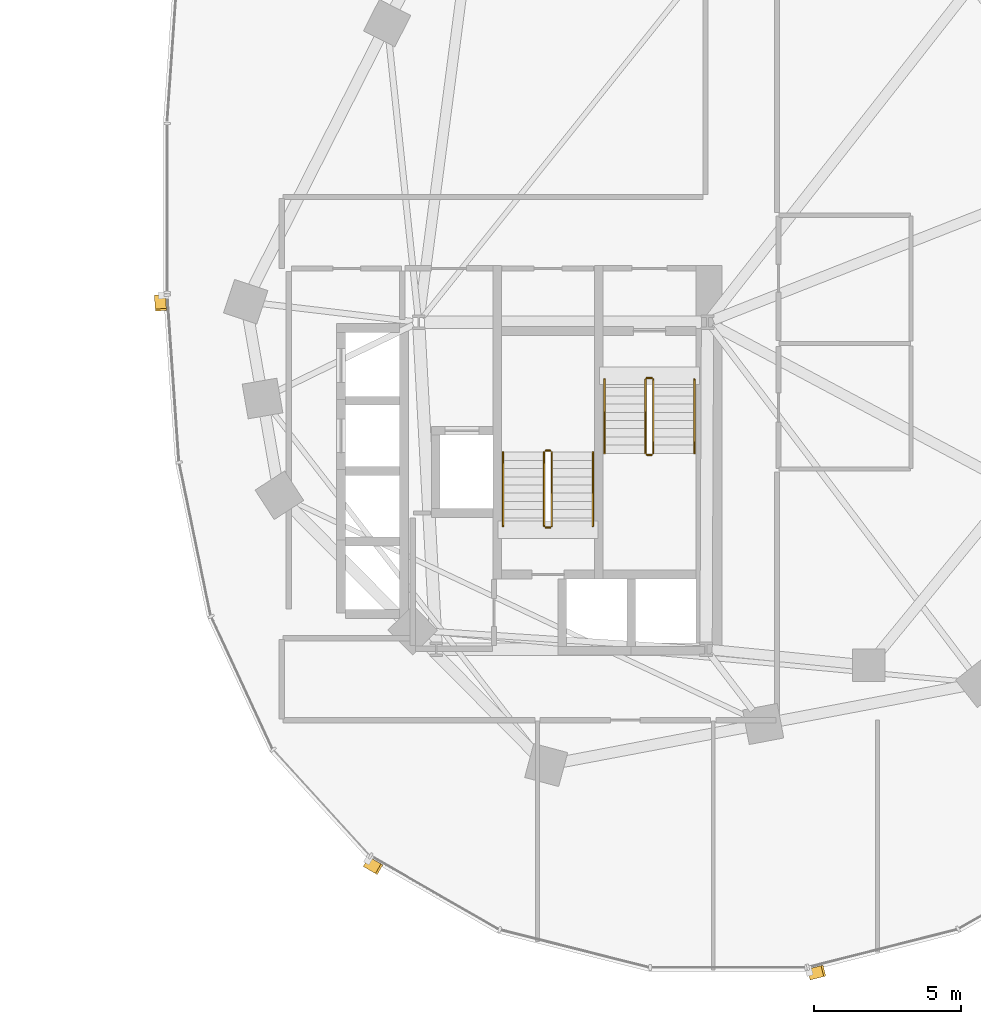
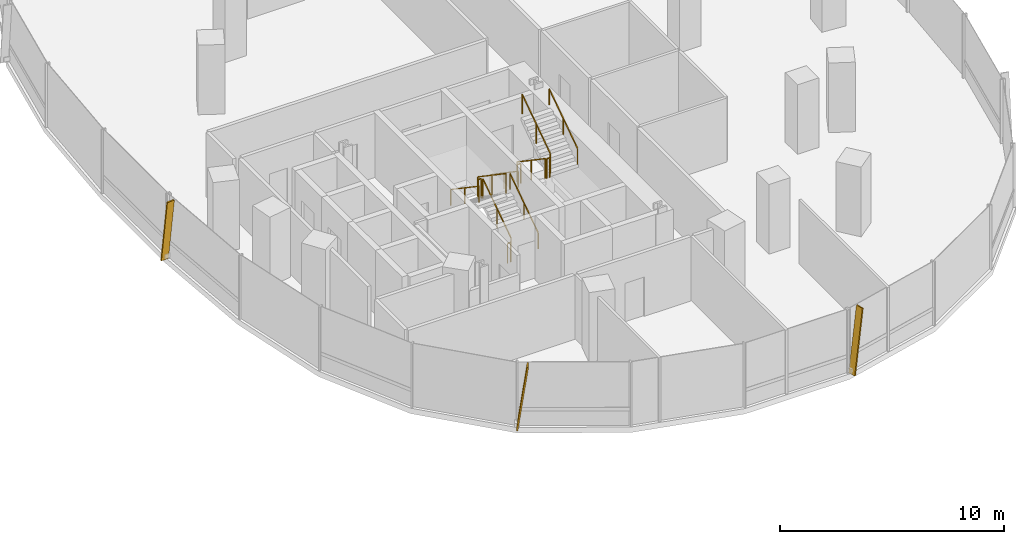
# One storey, part 20 of 21: 12 railings, 3 shading devices.
"""IFC4 building model written with IfcOpenShell, lengths in metres."""

from ifc_helpers import new_model, si_unit, direction, frame, origin, origin_2d, place, context, subcontext, project, spatial, rectangle, extrude, material, material_profile, profile_set, type_object, element, save


model = new_model("IFC4")

# Units and contexts
model_context = context("Model", 3, precision=1e-05, world=origin(), true_north=direction((0.0, 1.0)))
body_context = subcontext(model_context, "Body", "Model", "MODEL_VIEW")
ifc_project = project(units=[si_unit("LENGTHUNIT", "METRE"), si_unit("AREAUNIT", "SQUARE_METRE"), si_unit("VOLUMEUNIT", "CUBIC_METRE"), si_unit("PLANEANGLEUNIT", "RADIAN"), si_unit("MASSUNIT", "GRAM", prefix="KILO"), si_unit("THERMODYNAMICTEMPERATUREUNIT", "KELVIN"), si_unit("POWERUNIT", "WATT")], contexts=[model_context])

# Site, building, storey
site_placement = place(None, origin())
site = spatial("IfcSite", under=ifc_project, at=site_placement, CompositionType="ELEMENT")
building_placement = place(site_placement, origin())
building = spatial("IfcBuilding", under=site, at=building_placement, Name="Cundina Bronze Exchange", CompositionType="ELEMENT")
storey_placement = place(building_placement, frame((0.0, 0.0, 69.60009765625)))
storey = spatial("IfcBuildingStorey", under=building, at=storey_placement, Name="L17", CompositionType="ELEMENT", Elevation=69.60009765625)

# Railings
ifc_material_1 = material(Name="Steel ASTM A36 Painted", Category="steel")
railing_type_1 = type_object("IfcRailingType", Name="RLG-HND-900", PredefinedType="HANDRAIL", material=ifc_material_1)
railing_1_placement = place(storey_placement, frame((27.7900390625, -5.85009765625, 0.18994140625)))
element("IfcRailing", 1, at=railing_1_placement, inside=storey, type_object=railing_type_1, Name="L17 ST-E1 stair handrail 1", PredefinedType="HANDRAIL", context=body_context, shape_type="SweptSolid", body=[
    extrude(rectangle(XDim=0.048095703125, YDim=0.048095703125, at=origin_2d()), frame((0.0, 0.0, 0.8759765625), z_axis=(0.0, -0.827483756001, 0.561489655786), x_axis=(1.0, 0.0, 0.0)), (0.0, 0.0, 1.0), 3.04541015625),
    extrude(rectangle(XDim=0.0419921875, YDim=0.0419921875, at=origin_2d()), origin(), (0.0, 0.0, 1.0), 0.851806640625),
    extrude(rectangle(XDim=0.0419921875, YDim=0.0419921875, at=origin_2d()), frame((0.0, -1.260009765625, 0.85498046875)), (0.0, 0.0, 1.0), 0.851806640625),
    extrude(rectangle(XDim=0.0419921875, YDim=0.0419921875, at=origin_2d()), frame((0.0, -2.52001953125, 1.7099609375)), (0.0, 0.0, 1.0), 0.851806640625),
])
for number, where, name in (
    (2, (30.85009765625, -8.3701171875, 2.08984375), "L17 ST-E1 stair handrail 2"),
    (3, (27.389892578125, -10.85009765625, 0.18994140625), "L17 ST-E2 stair handrail 1"),
):
    element("IfcRailing", number, at=place(storey_placement, frame(where)), inside=storey, type_object=railing_type_1, Name=name, PredefinedType="HANDRAIL", context=body_context, shape_type="SweptSolid", body=[
        extrude(rectangle(XDim=0.048095703125, YDim=0.048095703125, at=origin_2d()), frame((0.0, 0.0, 0.8759765625), z_axis=(0.0, 0.827483756001, 0.561489655786), x_axis=(-1.0, 0.0, 0.0)), (0.0, 0.0, 1.0), 3.04541015625),
        extrude(rectangle(XDim=0.0419921875, YDim=0.0419921875, at=origin_2d()), origin(), (0.0, 0.0, 1.0), 0.851806640625),
        extrude(rectangle(XDim=0.0419921875, YDim=0.0419921875, at=origin_2d()), frame((0.0, 1.260009765625, 0.85498046875)), (0.0, 0.0, 1.0), 0.851806640625),
        extrude(rectangle(XDim=0.0419921875, YDim=0.0419921875, at=origin_2d()), frame((0.0, 2.52001953125, 1.7099609375)), (0.0, 0.0, 1.0), 0.851806640625),
    ])
railing_2_placement = place(storey_placement, frame((24.330078125, -8.330078125, 2.08984375)))
element("IfcRailing", 4, at=railing_2_placement, inside=storey, type_object=railing_type_1, Name="L17 ST-E2 stair handrail 2", PredefinedType="HANDRAIL", context=body_context, shape_type="SweptSolid", body=[
    extrude(rectangle(XDim=0.048095703125, YDim=0.048095703125, at=origin_2d()), frame((0.0, 0.0, 0.8759765625), z_axis=(0.0, -0.827483756001, 0.561489655786), x_axis=(1.0, 0.0, 0.0)), (0.0, 0.0, 1.0), 3.04541015625),
    extrude(rectangle(XDim=0.0419921875, YDim=0.0419921875, at=origin_2d()), origin(), (0.0, 0.0, 1.0), 0.851806640625),
    extrude(rectangle(XDim=0.0419921875, YDim=0.0419921875, at=origin_2d()), frame((0.0, -1.260009765625, 0.85498046875)), (0.0, 0.0, 1.0), 0.851806640625),
    extrude(rectangle(XDim=0.0419921875, YDim=0.0419921875, at=origin_2d()), frame((0.0, -2.52001953125, 1.7099609375)), (0.0, 0.0, 1.0), 0.851806640625),
])
railing_type_2 = type_object("IfcRailingType", Name="RLG-STG-1100", PredefinedType="GUARDRAIL", material=ifc_material_1)
railing_3_placement = place(storey_placement, frame((29.18994140625, -5.85009765625, 0.18994140625)))
element("IfcRailing", 5, at=railing_3_placement, inside=storey, type_object=railing_type_2, Name="L17 ST-E1 stair guard 1", PredefinedType="GUARDRAIL", context=body_context, shape_type="SweptSolid", body=[
    extrude(rectangle(XDim=0.048095703125, YDim=0.048095703125, at=origin_2d()), frame((0.0, 0.0, 1.076171875), z_axis=(0.0, -0.827483756001, 0.561489655786), x_axis=(1.0, 0.0, 0.0)), (0.0, 0.0, 1.0), 3.04541015625),
    extrude(rectangle(XDim=0.0419921875, YDim=0.0419921875, at=origin_2d()), origin(), (0.0, 0.0, 1.0), 1.052001953125),
    extrude(rectangle(XDim=0.0419921875, YDim=0.0419921875, at=origin_2d()), frame((0.0, -1.260009765625, 0.85498046875)), (0.0, 0.0, 1.0), 1.052001953125),
    extrude(rectangle(XDim=0.0419921875, YDim=0.0419921875, at=origin_2d()), frame((0.0, -2.52001953125, 1.7099609375)), (0.0, 0.0, 1.0), 1.052001953125),
])
railing_4_placement = place(storey_placement, frame((29.239990234375, -8.419921875, 1.89990234375)))
element("IfcRailing", 6, at=railing_4_placement, inside=storey, type_object=railing_type_2, Name="L17 ST-E1 stair guard 2", PredefinedType="GUARDRAIL", context=body_context, shape_type="SweptSolid", body=[
    extrude(rectangle(XDim=0.048095703125, YDim=0.048095703125, at=origin_2d()), frame((0.0, 0.0, 1.076171875), z_axis=(1.0, 0.0, 0.0), x_axis=(0.0, 1.0, 0.0)), (0.0, 0.0, 1.0), 0.159912109375),
    extrude(rectangle(XDim=0.0419921875, YDim=0.0419921875, at=origin_2d()), origin(), (0.0, 0.0, 1.0), 1.052001953125),
    extrude(rectangle(XDim=0.0419921875, YDim=0.0419921875, at=origin_2d()), frame((0.159912109375, 0.0, 0.0)), (0.0, 0.0, 1.0), 1.052001953125),
])
railing_5_placement = place(storey_placement, frame((29.449951171875, -8.3701171875, 2.08984375)))
element("IfcRailing", 7, at=railing_5_placement, inside=storey, type_object=railing_type_2, Name="L17 ST-E1 stair guard 3", PredefinedType="GUARDRAIL", context=body_context, shape_type="SweptSolid", body=[
    extrude(rectangle(XDim=0.048095703125, YDim=0.048095703125, at=origin_2d()), frame((0.0, 0.0, 1.076171875), z_axis=(0.0, 0.827483756001, 0.561489655786), x_axis=(-1.0, 0.0, 0.0)), (0.0, 0.0, 1.0), 3.04541015625),
    extrude(rectangle(XDim=0.0419921875, YDim=0.0419921875, at=origin_2d()), origin(), (0.0, 0.0, 1.0), 1.052001953125),
    extrude(rectangle(XDim=0.0419921875, YDim=0.0419921875, at=origin_2d()), frame((0.0, 1.260009765625, 0.85498046875)), (0.0, 0.0, 1.0), 1.052001953125),
    extrude(rectangle(XDim=0.0419921875, YDim=0.0419921875, at=origin_2d()), frame((0.0, 2.52001953125, 1.7099609375)), (0.0, 0.0, 1.0), 1.052001953125),
])
railing_6_placement = place(storey_placement, frame((29.239990234375, -5.800048828125, 0.0)))
element("IfcRailing", 8, at=railing_6_placement, inside=storey, type_object=railing_type_2, Name="L17 ST-E1 stair guard 4", PredefinedType="GUARDRAIL", context=body_context, shape_type="SweptSolid", body=[
    extrude(rectangle(XDim=0.048095703125, YDim=0.048095703125, at=origin_2d()), frame((0.0, 0.0, 1.076171875), z_axis=(1.0, 0.0, 0.0), x_axis=(0.0, 1.0, 0.0)), (0.0, 0.0, 1.0), 0.159912109375),
    extrude(rectangle(XDim=0.0419921875, YDim=0.0419921875, at=origin_2d()), origin(), (0.0, 0.0, 1.0), 1.052001953125),
    extrude(rectangle(XDim=0.0419921875, YDim=0.0419921875, at=origin_2d()), frame((0.159912109375, 0.0, 0.0)), (0.0, 0.0, 1.0), 1.052001953125),
])
railing_7_placement = place(storey_placement, frame((25.989990234375, -10.85009765625, 0.18994140625)))
element("IfcRailing", 9, at=railing_7_placement, inside=storey, type_object=railing_type_2, Name="L17 ST-E2 stair guard 1", PredefinedType="GUARDRAIL", context=body_context, shape_type="SweptSolid", body=[
    extrude(rectangle(XDim=0.048095703125, YDim=0.048095703125, at=origin_2d()), frame((0.0, 0.0, 1.076171875), z_axis=(0.0, 0.827483756001, 0.561489655786), x_axis=(-1.0, 0.0, 0.0)), (0.0, 0.0, 1.0), 3.04541015625),
    extrude(rectangle(XDim=0.0419921875, YDim=0.0419921875, at=origin_2d()), origin(), (0.0, 0.0, 1.0), 1.052001953125),
    extrude(rectangle(XDim=0.0419921875, YDim=0.0419921875, at=origin_2d()), frame((0.0, 1.260009765625, 0.85498046875)), (0.0, 0.0, 1.0), 1.052001953125),
    extrude(rectangle(XDim=0.0419921875, YDim=0.0419921875, at=origin_2d()), frame((0.0, 2.52001953125, 1.7099609375)), (0.0, 0.0, 1.0), 1.052001953125),
])
railing_8_placement = place(storey_placement, frame((25.93994140625, -8.280029296875, 1.89990234375)))
element("IfcRailing", 10, at=railing_8_placement, inside=storey, type_object=railing_type_2, Name="L17 ST-E2 stair guard 2", PredefinedType="GUARDRAIL", context=body_context, shape_type="SweptSolid", body=[
    extrude(rectangle(XDim=0.048095703125, YDim=0.048095703125, at=origin_2d()), frame((0.0, 0.0, 1.076171875), z_axis=(-1.0, 0.0, 0.0), x_axis=(0.0, -1.0, 0.0)), (0.0, 0.0, 1.0), 0.159912109375),
    extrude(rectangle(XDim=0.0419921875, YDim=0.0419921875, at=origin_2d()), origin(), (0.0, 0.0, 1.0), 1.052001953125),
    extrude(rectangle(XDim=0.0419921875, YDim=0.0419921875, at=origin_2d()), frame((-0.159912109375, 0.0, 0.0)), (0.0, 0.0, 1.0), 1.052001953125),
])
railing_9_placement = place(storey_placement, frame((25.72998046875, -8.330078125, 2.08984375)))
element("IfcRailing", 11, at=railing_9_placement, inside=storey, type_object=railing_type_2, Name="L17 ST-E2 stair guard 3", PredefinedType="GUARDRAIL", context=body_context, shape_type="SweptSolid", body=[
    extrude(rectangle(XDim=0.048095703125, YDim=0.048095703125, at=origin_2d()), frame((0.0, 0.0, 1.076171875), z_axis=(0.0, -0.827483756001, 0.561489655786), x_axis=(1.0, 0.0, 0.0)), (0.0, 0.0, 1.0), 3.04541015625),
    extrude(rectangle(XDim=0.0419921875, YDim=0.0419921875, at=origin_2d()), origin(), (0.0, 0.0, 1.0), 1.052001953125),
    extrude(rectangle(XDim=0.0419921875, YDim=0.0419921875, at=origin_2d()), frame((0.0, -1.260009765625, 0.85498046875)), (0.0, 0.0, 1.0), 1.052001953125),
    extrude(rectangle(XDim=0.0419921875, YDim=0.0419921875, at=origin_2d()), frame((0.0, -2.52001953125, 1.7099609375)), (0.0, 0.0, 1.0), 1.052001953125),
])
railing_10_placement = place(storey_placement, frame((25.93994140625, -10.89990234375, 0.0)))
element("IfcRailing", 12, at=railing_10_placement, inside=storey, type_object=railing_type_2, Name="L17 ST-E2 stair guard 4", PredefinedType="GUARDRAIL", context=body_context, shape_type="SweptSolid", body=[
    extrude(rectangle(XDim=0.048095703125, YDim=0.048095703125, at=origin_2d()), frame((0.0, 0.0, 1.076171875), z_axis=(-1.0, 0.0, 0.0), x_axis=(0.0, -1.0, 0.0)), (0.0, 0.0, 1.0), 0.159912109375),
    extrude(rectangle(XDim=0.0419921875, YDim=0.0419921875, at=origin_2d()), origin(), (0.0, 0.0, 1.0), 1.052001953125),
    extrude(rectangle(XDim=0.0419921875, YDim=0.0419921875, at=origin_2d()), frame((-0.159912109375, 0.0, 0.0)), (0.0, 0.0, 1.0), 1.052001953125),
])

# Shading devices
ifc_material_2 = material(Name="Anodised Bronze Aluminium 6063-T6", Category="aluminium")
ifc_material_profile = material_profile(ifc_material_2, rectangle(XDim=0.070068359375, YDim=0.3798828125, at=origin_2d()), Name="FIN70X380", Category="aluminium")
ifc_profile_set = profile_set([ifc_material_profile], Name="Anodised Bronze Aluminium 6063-T6")
shading_device_type = type_object("IfcShadingDeviceType", Name="SHD-FIN-BRZ380", PredefinedType="USERDEFINED", material=ifc_profile_set)
for number, where, z_axis, x_axis, name in (
    (13, (12.6259765625, -2.993896484375, 0.02001953125), (0.009645159174, -0.137059109714, 0.990515911709), (-0.06953288269, 0.988072340253, 0.137398066402), "L17 Diagonal Bronze Solar Fin 1"),
    (14, (19.685791015625, -22.314208984375, 0.02001953125), (0.119166378275, -0.06842456559, 0.990513731915), (-0.85898178632, 0.493221799887, 0.137413779831), "L17 Diagonal Bronze Solar Fin 5"),
    (15, (34.787353515625, -26.138427734375, 0.02001953125), (0.133214830938, 0.033688115694, 0.990514472221), (-0.960284642503, -0.242842181368, 0.137408443412), "L17 Diagonal Bronze Solar Fin 1"),
):
    element("IfcShadingDevice", number, at=place(storey_placement, frame(where, z_axis=z_axis, x_axis=x_axis)), inside=storey, type_object=shading_device_type, Name=name, ObjectType="FIN", PredefinedType="USERDEFINED", context=body_context, shape_type="SweptSolid", body=[
        extrude(rectangle(XDim=0.070068359375, YDim=0.3798828125, at=origin_2d()), origin(), (0.0, 0.0, 1.0), 3.4931640625),
    ])

save(model, "model.ifc")
